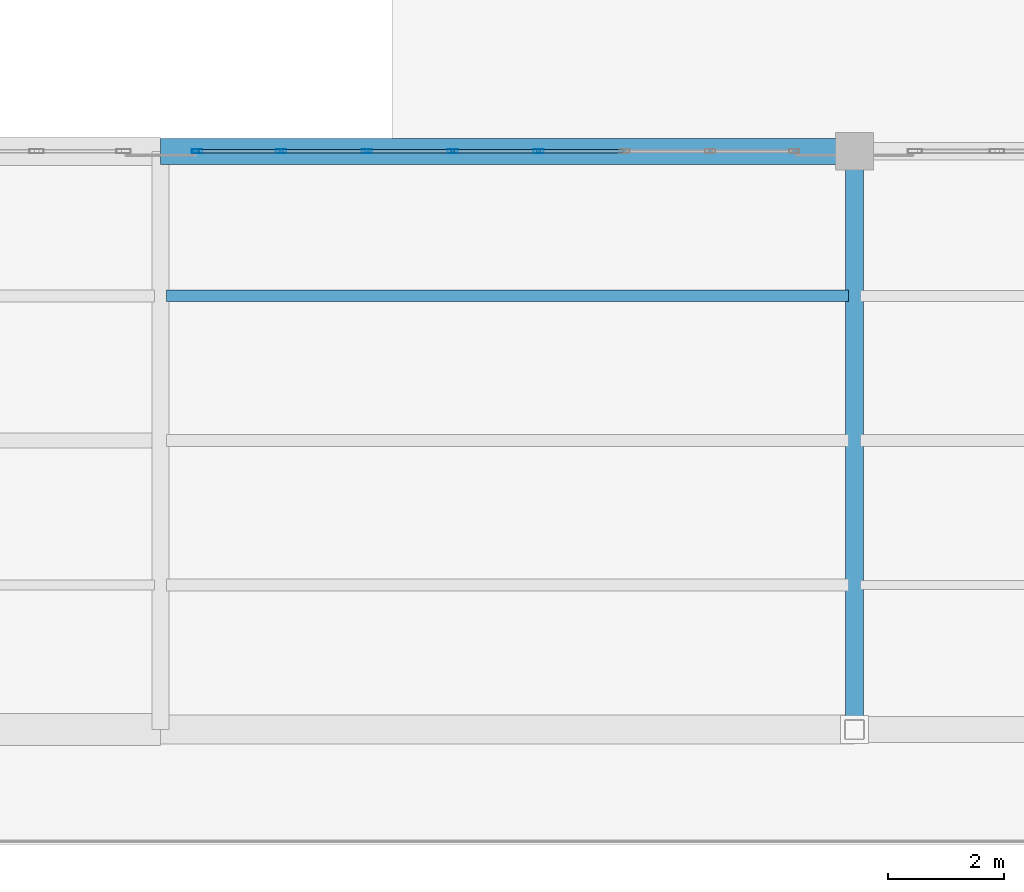
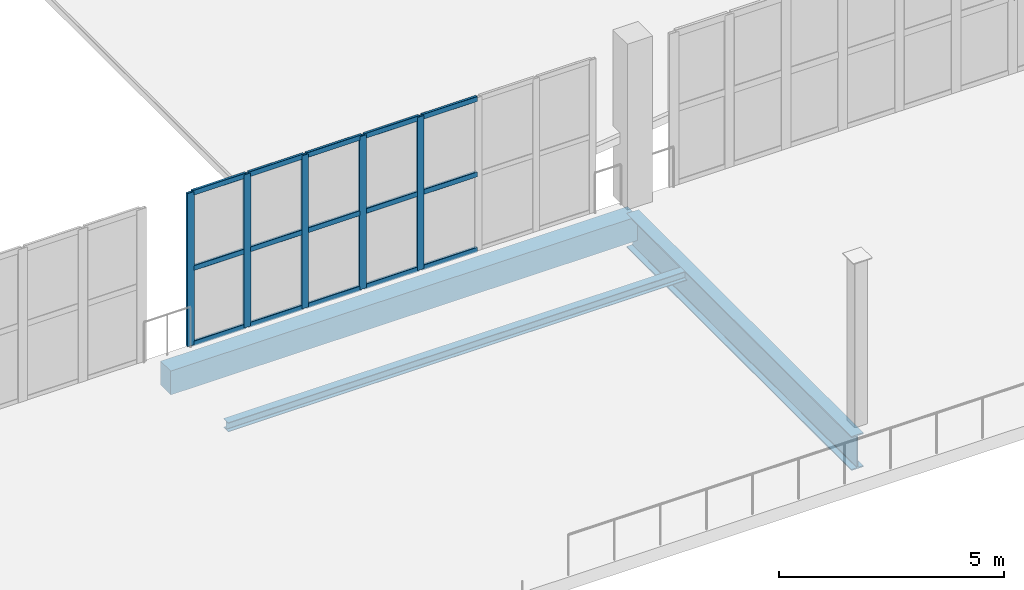
# One storey, part 11 of 90: 20 members, 3 beams, 1 element without a shape of its own.
"""IFC4 building model written with IfcOpenShell, lengths in metres."""

from ifc_helpers import new_model, si_unit, direction, frame, origin, origin_2d, place, context, subcontext, project, spatial, rectangle, hollow_rectangle, i_section, extrude, material, layer, layer_set, material_profile, profile_set, type_object, element, aggregate, save


model = new_model("IFC4")

# Units and contexts
model_context = context("Model", 3, precision=1e-05, world=origin(), true_north=direction((0.0, 1.0)))
body_context = subcontext(model_context, "Body", "Model", "MODEL_VIEW")
ifc_project = project(units=[si_unit("LENGTHUNIT", "METRE"), si_unit("AREAUNIT", "SQUARE_METRE"), si_unit("VOLUMEUNIT", "CUBIC_METRE"), si_unit("PLANEANGLEUNIT", "RADIAN"), si_unit("MASSUNIT", "GRAM", prefix="KILO")], contexts=[model_context])

# Site, building, storey
site_placement = place(None, origin())
site = spatial("IfcSite", under=ifc_project, at=site_placement, CompositionType="ELEMENT")
building_placement = place(site_placement, origin())
building = spatial("IfcBuilding", under=site, at=building_placement, Name="Brinegate Civic Arena", CompositionType="ELEMENT")
storey_placement = place(building_placement, frame((0.0, 0.0, 14.699951171875)))
storey = spatial("IfcBuildingStorey", under=building, at=storey_placement, Name="L03", CompositionType="ELEMENT", Elevation=14.699951171875)

# Curtain wall, members
ifc_material_1 = material(Name="Marine grade aluminium", Category="aluminium")
ifc_layer = layer(ifc_material_1, 0.18505859375, Name="Marine grade aluminium")
ifc_layer_set = layer_set([ifc_layer], Name="Marine grade aluminium")
curtain_wall_type = type_object("IfcCurtainWallType", Name="CW-WING-GLAZED-03", PredefinedType="USERDEFINED", material=ifc_layer_set)
curtain_wall_placement = place(storey_placement, origin())
curtain_wall = element("IfcCurtainWall", 1, at=curtain_wall_placement, inside=storey, type_object=curtain_wall_type, Name="Curtain Wall CWA-030", ObjectType="GLAZED CURTAIN WALL", PredefinedType="USERDEFINED")
ifc_material_profile_1 = material_profile(ifc_material_1, hollow_rectangle(XDim=0.06494140625, YDim=0.179931640625, WallThickness=0.0048828125, InnerFilletRadius=0.00390625, OuterFilletRadius=0.008056640625, at=origin_2d()), Name="MUL65X180")
ifc_profile_set_1 = profile_set([ifc_material_profile_1], Name="Marine grade aluminium")
member_type_1 = type_object("IfcMemberType", Name="CW-MULLION-65X180", PredefinedType="MULLION", material=ifc_profile_set_1)
member_1_placement = place(storey_placement, frame((24.632568359375, 52.0, 0.0), z_axis=(0.0, 0.0, 1.0), x_axis=(0.0, 1.0, 0.0)))
member_1 = element("IfcMember", 2, at=member_1_placement, type_object=member_type_1, Name="CWA-030 mullion 1", PredefinedType="MULLION", context=body_context, shape_type="SweptSolid", body=[
    extrude(hollow_rectangle(XDim=0.06494140625, YDim=0.179931640625, WallThickness=0.0048828125, InnerFilletRadius=0.00390625, OuterFilletRadius=0.008056640625, at=origin_2d()), origin(), (0.0, 0.0, 1.0), 4.16015625),
])
member_2_placement = place(storey_placement, frame((26.084228515625, 52.0, 0.0), z_axis=(0.0, 0.0, 1.0), x_axis=(0.0, 1.0, 0.0)))
member_2 = element("IfcMember", 3, at=member_2_placement, type_object=member_type_1, Name="CWA-030 mullion 2", PredefinedType="MULLION", context=body_context, shape_type="SweptSolid", body=[
    extrude(hollow_rectangle(XDim=0.06494140625, YDim=0.179931640625, WallThickness=0.0048828125, InnerFilletRadius=0.00390625, OuterFilletRadius=0.008056640625, at=origin_2d()), origin(), (0.0, 0.0, 1.0), 4.16015625),
])
member_3_placement = place(storey_placement, frame((27.568603515625, 52.0, 0.0), z_axis=(0.0, 0.0, 1.0), x_axis=(0.0, 1.0, 0.0)))
member_3 = element("IfcMember", 4, at=member_3_placement, type_object=member_type_1, Name="CWA-030 mullion 3", PredefinedType="MULLION", context=body_context, shape_type="SweptSolid", body=[
    extrude(hollow_rectangle(XDim=0.06494140625, YDim=0.179931640625, WallThickness=0.0048828125, InnerFilletRadius=0.00390625, OuterFilletRadius=0.008056640625, at=origin_2d()), origin(), (0.0, 0.0, 1.0), 4.16015625),
])
member_4_placement = place(storey_placement, frame((29.052978515625, 52.0, 0.0), z_axis=(0.0, 0.0, 1.0), x_axis=(0.0, 1.0, 0.0)))
member_4 = element("IfcMember", 5, at=member_4_placement, type_object=member_type_1, Name="CWA-030 mullion 4", PredefinedType="MULLION", context=body_context, shape_type="SweptSolid", body=[
    extrude(hollow_rectangle(XDim=0.06494140625, YDim=0.179931640625, WallThickness=0.0048828125, InnerFilletRadius=0.00390625, OuterFilletRadius=0.008056640625, at=origin_2d()), origin(), (0.0, 0.0, 1.0), 4.16015625),
])
member_5_placement = place(storey_placement, frame((30.537109375, 52.0, 0.0), z_axis=(0.0, 0.0, 1.0), x_axis=(0.0, 1.0, 0.0)))
member_5 = element("IfcMember", 6, at=member_5_placement, type_object=member_type_1, Name="CWA-030 mullion 5", PredefinedType="MULLION", context=body_context, shape_type="SweptSolid", body=[
    extrude(hollow_rectangle(XDim=0.06494140625, YDim=0.179931640625, WallThickness=0.0048828125, InnerFilletRadius=0.00390625, OuterFilletRadius=0.008056640625, at=origin_2d()), origin(), (0.0, 0.0, 1.0), 4.16015625),
])
ifc_material_profile_2 = material_profile(ifc_material_1, hollow_rectangle(XDim=0.06494140625, YDim=0.139892578125, WallThickness=0.0048828125, InnerFilletRadius=0.00390625, OuterFilletRadius=0.008056640625, at=origin_2d()), Name="TRN65X140")
ifc_profile_set_2 = profile_set([ifc_material_profile_2], Name="Marine grade aluminium")
member_type_2 = type_object("IfcMemberType", Name="CW-TRANSOM-65X140", PredefinedType="USERDEFINED", material=ifc_profile_set_2)
member_6_placement = place(storey_placement, frame((24.6650390625, 52.0, 0.032470703125), z_axis=(1.0, 0.0, 0.0), x_axis=(0.0, 1.0, 0.0)))
member_6 = element("IfcMember", 7, at=member_6_placement, type_object=member_type_2, Name="CWA-030 transom 1.1", ObjectType="TRANSOM", PredefinedType="USERDEFINED", context=body_context, shape_type="SweptSolid", body=[
    extrude(hollow_rectangle(XDim=0.06494140625, YDim=0.139892578125, WallThickness=0.0048828125, InnerFilletRadius=0.00390625, OuterFilletRadius=0.008056640625, at=origin_2d()), origin(), (0.0, 0.0, 1.0), 1.38671875),
])
member_7_placement = place(storey_placement, frame((24.6650390625, 52.0, 2.080078125), z_axis=(1.0, 0.0, 0.0), x_axis=(0.0, 1.0, 0.0)))
member_7 = element("IfcMember", 8, at=member_7_placement, type_object=member_type_2, Name="CWA-030 transom 1.2", ObjectType="TRANSOM", PredefinedType="USERDEFINED", context=body_context, shape_type="SweptSolid", body=[
    extrude(hollow_rectangle(XDim=0.06494140625, YDim=0.139892578125, WallThickness=0.0048828125, InnerFilletRadius=0.00390625, OuterFilletRadius=0.008056640625, at=origin_2d()), origin(), (0.0, 0.0, 1.0), 1.38671875),
])
member_8_placement = place(storey_placement, frame((24.6650390625, 52.0, 4.12744140625), z_axis=(1.0, 0.0, 0.0), x_axis=(0.0, 1.0, 0.0)))
member_8 = element("IfcMember", 9, at=member_8_placement, type_object=member_type_2, Name="CWA-030 transom 1.3", ObjectType="TRANSOM", PredefinedType="USERDEFINED", context=body_context, shape_type="SweptSolid", body=[
    extrude(hollow_rectangle(XDim=0.06494140625, YDim=0.139892578125, WallThickness=0.0048828125, InnerFilletRadius=0.00390625, OuterFilletRadius=0.008056640625, at=origin_2d()), origin(), (0.0, 0.0, 1.0), 1.38671875),
])
member_9_placement = place(storey_placement, frame((26.11669921875, 52.0, 0.032470703125), z_axis=(1.0, 0.0, 0.0), x_axis=(0.0, 1.0, 0.0)))
member_9 = element("IfcMember", 10, at=member_9_placement, type_object=member_type_2, Name="CWA-030 transom 2.1", ObjectType="TRANSOM", PredefinedType="USERDEFINED", context=body_context, shape_type="SweptSolid", body=[
    extrude(hollow_rectangle(XDim=0.06494140625, YDim=0.139892578125, WallThickness=0.0048828125, InnerFilletRadius=0.00390625, OuterFilletRadius=0.008056640625, at=origin_2d()), origin(), (0.0, 0.0, 1.0), 1.41943359375),
])
member_10_placement = place(storey_placement, frame((26.11669921875, 52.0, 2.080078125), z_axis=(1.0, 0.0, 0.0), x_axis=(0.0, 1.0, 0.0)))
member_10 = element("IfcMember", 11, at=member_10_placement, type_object=member_type_2, Name="CWA-030 transom 2.2", ObjectType="TRANSOM", PredefinedType="USERDEFINED", context=body_context, shape_type="SweptSolid", body=[
    extrude(hollow_rectangle(XDim=0.06494140625, YDim=0.139892578125, WallThickness=0.0048828125, InnerFilletRadius=0.00390625, OuterFilletRadius=0.008056640625, at=origin_2d()), origin(), (0.0, 0.0, 1.0), 1.41943359375),
])
member_11_placement = place(storey_placement, frame((26.11669921875, 52.0, 4.12744140625), z_axis=(1.0, 0.0, 0.0), x_axis=(0.0, 1.0, 0.0)))
member_11 = element("IfcMember", 12, at=member_11_placement, type_object=member_type_2, Name="CWA-030 transom 2.3", ObjectType="TRANSOM", PredefinedType="USERDEFINED", context=body_context, shape_type="SweptSolid", body=[
    extrude(hollow_rectangle(XDim=0.06494140625, YDim=0.139892578125, WallThickness=0.0048828125, InnerFilletRadius=0.00390625, OuterFilletRadius=0.008056640625, at=origin_2d()), origin(), (0.0, 0.0, 1.0), 1.41943359375),
])
member_12_placement = place(storey_placement, frame((27.60107421875, 52.0, 0.032470703125), z_axis=(1.0, 0.0, 0.0), x_axis=(0.0, 1.0, 0.0)))
member_12 = element("IfcMember", 13, at=member_12_placement, type_object=member_type_2, Name="CWA-030 transom 3.1", ObjectType="TRANSOM", PredefinedType="USERDEFINED", context=body_context, shape_type="SweptSolid", body=[
    extrude(hollow_rectangle(XDim=0.06494140625, YDim=0.139892578125, WallThickness=0.0048828125, InnerFilletRadius=0.00390625, OuterFilletRadius=0.008056640625, at=origin_2d()), origin(), (0.0, 0.0, 1.0), 1.419189453125),
])
member_13_placement = place(storey_placement, frame((27.60107421875, 52.0, 2.080078125), z_axis=(1.0, 0.0, 0.0), x_axis=(0.0, 1.0, 0.0)))
member_13 = element("IfcMember", 14, at=member_13_placement, type_object=member_type_2, Name="CWA-030 transom 3.2", ObjectType="TRANSOM", PredefinedType="USERDEFINED", context=body_context, shape_type="SweptSolid", body=[
    extrude(hollow_rectangle(XDim=0.06494140625, YDim=0.139892578125, WallThickness=0.0048828125, InnerFilletRadius=0.00390625, OuterFilletRadius=0.008056640625, at=origin_2d()), origin(), (0.0, 0.0, 1.0), 1.419189453125),
])
member_14_placement = place(storey_placement, frame((27.60107421875, 52.0, 4.12744140625), z_axis=(1.0, 0.0, 0.0), x_axis=(0.0, 1.0, 0.0)))
member_14 = element("IfcMember", 15, at=member_14_placement, type_object=member_type_2, Name="CWA-030 transom 3.3", ObjectType="TRANSOM", PredefinedType="USERDEFINED", context=body_context, shape_type="SweptSolid", body=[
    extrude(hollow_rectangle(XDim=0.06494140625, YDim=0.139892578125, WallThickness=0.0048828125, InnerFilletRadius=0.00390625, OuterFilletRadius=0.008056640625, at=origin_2d()), origin(), (0.0, 0.0, 1.0), 1.419189453125),
])
member_15_placement = place(storey_placement, frame((29.08544921875, 52.0, 0.032470703125), z_axis=(1.0, 0.0, 0.0), x_axis=(0.0, 1.0, 0.0)))
member_15 = element("IfcMember", 16, at=member_15_placement, type_object=member_type_2, Name="CWA-030 transom 4.1", ObjectType="TRANSOM", PredefinedType="USERDEFINED", context=body_context, shape_type="SweptSolid", body=[
    extrude(hollow_rectangle(XDim=0.06494140625, YDim=0.139892578125, WallThickness=0.0048828125, InnerFilletRadius=0.00390625, OuterFilletRadius=0.008056640625, at=origin_2d()), origin(), (0.0, 0.0, 1.0), 1.419189453125),
])
member_16_placement = place(storey_placement, frame((29.08544921875, 52.0, 2.080078125), z_axis=(1.0, 0.0, 0.0), x_axis=(0.0, 1.0, 0.0)))
member_16 = element("IfcMember", 17, at=member_16_placement, type_object=member_type_2, Name="CWA-030 transom 4.2", ObjectType="TRANSOM", PredefinedType="USERDEFINED", context=body_context, shape_type="SweptSolid", body=[
    extrude(hollow_rectangle(XDim=0.06494140625, YDim=0.139892578125, WallThickness=0.0048828125, InnerFilletRadius=0.00390625, OuterFilletRadius=0.008056640625, at=origin_2d()), origin(), (0.0, 0.0, 1.0), 1.419189453125),
])
member_17_placement = place(storey_placement, frame((29.08544921875, 52.0, 4.12744140625), z_axis=(1.0, 0.0, 0.0), x_axis=(0.0, 1.0, 0.0)))
member_17 = element("IfcMember", 18, at=member_17_placement, type_object=member_type_2, Name="CWA-030 transom 4.3", ObjectType="TRANSOM", PredefinedType="USERDEFINED", context=body_context, shape_type="SweptSolid", body=[
    extrude(hollow_rectangle(XDim=0.06494140625, YDim=0.139892578125, WallThickness=0.0048828125, InnerFilletRadius=0.00390625, OuterFilletRadius=0.008056640625, at=origin_2d()), origin(), (0.0, 0.0, 1.0), 1.419189453125),
])
member_18_placement = place(storey_placement, frame((30.569580078125, 52.0, 0.032470703125), z_axis=(1.0, 0.0, 0.0), x_axis=(0.0, 1.0, 0.0)))
member_18 = element("IfcMember", 19, at=member_18_placement, type_object=member_type_2, Name="CWA-030 transom 5.1", ObjectType="TRANSOM", PredefinedType="USERDEFINED", context=body_context, shape_type="SweptSolid", body=[
    extrude(hollow_rectangle(XDim=0.06494140625, YDim=0.139892578125, WallThickness=0.0048828125, InnerFilletRadius=0.00390625, OuterFilletRadius=0.008056640625, at=origin_2d()), origin(), (0.0, 0.0, 1.0), 1.41943359375),
])
member_19_placement = place(storey_placement, frame((30.569580078125, 52.0, 2.080078125), z_axis=(1.0, 0.0, 0.0), x_axis=(0.0, 1.0, 0.0)))
member_19 = element("IfcMember", 20, at=member_19_placement, type_object=member_type_2, Name="CWA-030 transom 5.2", ObjectType="TRANSOM", PredefinedType="USERDEFINED", context=body_context, shape_type="SweptSolid", body=[
    extrude(hollow_rectangle(XDim=0.06494140625, YDim=0.139892578125, WallThickness=0.0048828125, InnerFilletRadius=0.00390625, OuterFilletRadius=0.008056640625, at=origin_2d()), origin(), (0.0, 0.0, 1.0), 1.41943359375),
])
member_20_placement = place(storey_placement, frame((30.569580078125, 52.0, 4.12744140625), z_axis=(1.0, 0.0, 0.0), x_axis=(0.0, 1.0, 0.0)))
member_20 = element("IfcMember", 21, at=member_20_placement, type_object=member_type_2, Name="CWA-030 transom 5.3", ObjectType="TRANSOM", PredefinedType="USERDEFINED", context=body_context, shape_type="SweptSolid", body=[
    extrude(hollow_rectangle(XDim=0.06494140625, YDim=0.139892578125, WallThickness=0.0048828125, InnerFilletRadius=0.00390625, OuterFilletRadius=0.008056640625, at=origin_2d()), origin(), (0.0, 0.0, 1.0), 1.41943359375),
])
aggregate(curtain_wall, [member_1, member_2, member_3, member_4, member_5, member_6, member_7, member_8, member_9, member_10, member_11, member_12, member_13, member_14, member_15, member_16, member_17, member_18, member_19, member_20])

# Beams
ifc_material_2 = material(Name="Steel S355", Category="steel")
ifc_material_profile_3 = material_profile(ifc_material_2, i_section(OverallWidth=0.30810546875, OverallDepth=0.927001953125, WebThickness=0.01904296875, FlangeThickness=0.031982421875, FilletRadius=0.02392578125, at=origin_2d()), Name="W920X289")
ifc_profile_set_3 = profile_set([ifc_material_profile_3], Name="Steel S355")
beam_type_1 = type_object("IfcBeamType", Name="GIRDER-W920X289", PredefinedType="BEAM", material=ifc_profile_set_3)
beam_1_placement = place(storey_placement, frame((36.0, 42.0, -0.81298828125), z_axis=(0.0, 1.0, 0.0), x_axis=(-1.0, 0.0, 0.0)))
element("IfcBeam", 22, at=beam_1_placement, inside=storey, type_object=beam_type_1, Name="Floor Girder BM-L03-GY-03-04", PredefinedType="BEAM", context=body_context, shape_type="SweptSolid", body=[
    extrude(i_section(OverallWidth=0.30810546875, OverallDepth=0.927001953125, WebThickness=0.01904296875, FlangeThickness=0.031982421875, FilletRadius=0.02392578125, at=origin_2d()), origin(), (0.0, 0.0, 1.0), 10.0),
])
ifc_material_profile_4 = material_profile(ifc_material_2, i_section(OverallWidth=0.202880859375, OverallDepth=0.251953125, WebThickness=0.008056640625, FlangeThickness=0.013916015625, FilletRadius=0.011962890625, at=origin_2d()), Name="W250X58")
ifc_profile_set_4 = profile_set([ifc_material_profile_4], Name="Steel S355")
beam_type_2 = type_object("IfcBeamType", Name="JOIST-W250X58", PredefinedType="JOIST", material=ifc_profile_set_4)
beam_2_placement = place(storey_placement, frame((24.10595703125, 49.5, -0.475830078125), z_axis=(1.0, 0.0, 0.0), x_axis=(0.0, 1.0, 0.0)))
element("IfcBeam", 23, at=beam_2_placement, inside=storey, type_object=beam_type_2, Name="Secondary Joist BM-L03-JX-02-04-3", PredefinedType="JOIST", context=body_context, shape_type="SweptSolid", body=[
    extrude(i_section(OverallWidth=0.202880859375, OverallDepth=0.251953125, WebThickness=0.008056640625, FlangeThickness=0.013916015625, FilletRadius=0.011962890625, at=origin_2d()), origin(), (0.0, 0.0, 1.0), 11.7880859375),
])
ifc_material_3 = material(Name="Concrete C50/60", Category="concrete")
ifc_material_profile_5 = material_profile(ifc_material_3, rectangle(XDim=0.449951171875, YDim=0.64990234375, at=origin_2d()), Name="RCB450X650")
ifc_profile_set_5 = profile_set([ifc_material_profile_5], Name="Concrete C50/60")
beam_type_3 = type_object("IfcBeamType", Name="RCG-450X650", PredefinedType="BEAM", material=ifc_profile_set_5)
beam_3_placement = place(storey_placement, frame((24.0, 52.0, -0.675048828125), z_axis=(1.0, 0.0, 0.0), x_axis=(0.0, 1.0, 0.0)))
element("IfcBeam", 24, at=beam_3_placement, inside=storey, type_object=beam_type_3, Name="Floor Girder BM-L03-GX-02-05", PredefinedType="BEAM", context=body_context, shape_type="SweptSolid", body=[
    extrude(rectangle(XDim=0.449951171875, YDim=0.64990234375, at=origin_2d()), origin(), (0.0, 0.0, 1.0), 12.0),
])

save(model, "model.ifc")
